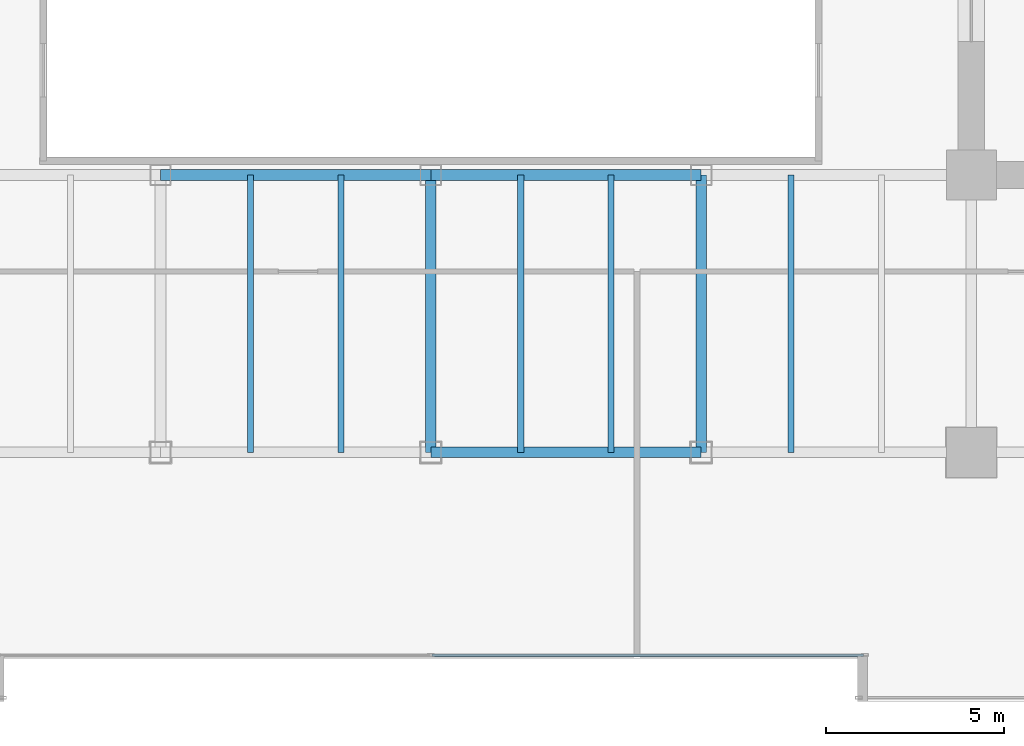
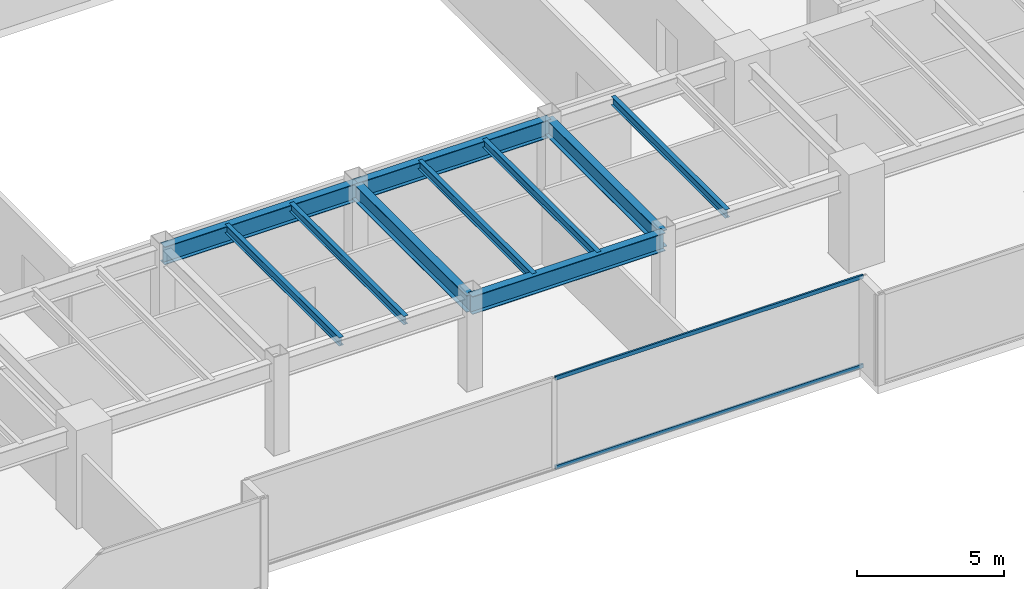
# One storey, part 9 of 36: 10 beams, 2 members, 1 element without a shape of its own.
"""IFC4 building model written with IfcOpenShell, lengths in metres."""

from ifc_helpers import new_model, si_unit, direction, frame, origin, origin_2d, place, context, subcontext, project, spatial, hollow_rectangle, i_section, extrude, source, transform, mapped, material, layer, layer_set, material_profile, profile_set, type_object, type_shapes, element, aggregate, save


model = new_model("IFC4")

# Units and contexts
model_context = context("Model", 3, precision=1e-05, world=origin(), true_north=direction((0.0, 1.0)))
body_context = subcontext(model_context, "Body", "Model", "MODEL_VIEW")
ifc_project = project(units=[si_unit("LENGTHUNIT", "METRE"), si_unit("AREAUNIT", "SQUARE_METRE"), si_unit("VOLUMEUNIT", "CUBIC_METRE"), si_unit("PLANEANGLEUNIT", "RADIAN"), si_unit("MASSUNIT", "GRAM", prefix="KILO")], contexts=[model_context])

# Site, building, storey
site_placement = place(None, origin())
site = spatial("IfcSite", under=ifc_project, at=site_placement, CompositionType="ELEMENT")
building_placement = place(site_placement, origin())
building = spatial("IfcBuilding", under=site, at=building_placement, Name="Haelvirn Gate Laboratories", CompositionType="ELEMENT")
storey_placement = place(building_placement, frame((0.0, 0.0, 49.800048828125)))
storey = spatial("IfcBuildingStorey", under=building, at=storey_placement, Name="L12", CompositionType="ELEMENT", Elevation=49.800048828125)

# Beams
ifc_material_1 = material(Name="Steel SM355", Category="steel")
ifc_material_profile_1 = material_profile(ifc_material_1, i_section(OverallWidth=0.300048828125, OverallDepth=0.699951171875, WebThickness=0.012939453125, FlangeThickness=0.02392578125, at=origin_2d()), Name="H-700x300x13x24")
ifc_profile_set_1 = profile_set([ifc_material_profile_1], Name="Steel SM355")
beam_type_1 = type_object("IfcBeamType", Name="BM-G-700", PredefinedType="BEAM", material=ifc_profile_set_1)
shared_shape_1 = source(origin(), body_context, "Body", "SweptSolid", [
    extrude(i_section(OverallWidth=0.300048828125, OverallDepth=0.699951171875, WebThickness=0.012939453125, FlangeThickness=0.02392578125, at=origin_2d()), origin(), (0.0, 0.0, 1.0), 7.800048828125),
])
type_shapes(beam_type_1, [shared_shape_1])
for number, where, z_axis, x_axis, name in (
    (1, (37.39990234375, 7.0, 3.429931640625), (0.0, 1.0, 0.0), (-1.0, 0.0, 0.0), "L12 Frame Girder X37.4 (7.0-14.8)"),
    (2, (45.0, 7.0, 3.429931640625), (0.0, 1.0, 0.0), (-1.0, 0.0, 0.0), "L12 Frame Girder X45.0 (7.0-14.8)"),
):
    element("IfcBeam", number, at=place(storey_placement, frame(where, z_axis=z_axis, x_axis=x_axis)), inside=storey, type_object=beam_type_1, Name=name, PredefinedType="BEAM", context=body_context, shape_type="MappedRepresentation", body=[
        mapped(shared_shape_1, transform((0.0, 0.0, 0.0), scale=1.0)),
    ])
ifc_material_profile_2 = material_profile(ifc_material_1, i_section(OverallWidth=0.300048828125, OverallDepth=0.75, WebThickness=0.013916015625, FlangeThickness=0.02392578125, at=origin_2d()), Name="H-750x300x14x24")
ifc_profile_set_2 = profile_set([ifc_material_profile_2], Name="Steel SM355")
beam_type_2 = type_object("IfcBeamType", Name="BM-G-750", PredefinedType="BEAM", material=ifc_profile_set_2)
shared_shape_2 = source(origin(), body_context, "Body", "SweptSolid", [
    extrude(i_section(OverallWidth=0.300048828125, OverallDepth=0.75, WebThickness=0.013916015625, FlangeThickness=0.02392578125, at=origin_2d()), origin(), (0.0, 0.0, 1.0), 7.60009765625),
])
for number, where, z_axis, x_axis, name in (
    (3, (37.39990234375, 7.0, 3.405029296875), (1.0, 0.0, 0.0), (0.0, 1.0, 0.0), "L12 Primary Girder Y7.0 (37.4-45.0)"),
    (4, (37.39990234375, 14.800048828125, 3.405029296875), (1.0, 0.0, 0.0), (0.0, 1.0, 0.0), "L12 Primary Girder Y14.8 (37.4-45.0)"),
):
    element("IfcBeam", number, at=place(storey_placement, frame(where, z_axis=z_axis, x_axis=x_axis)), inside=storey, type_object=beam_type_2, Name=name, PredefinedType="BEAM", context=body_context, shape_type="MappedRepresentation", body=[
        mapped(shared_shape_2, transform((0.0, 0.0, 0.0), scale=1.0)),
    ])
shared_shape_3 = source(origin(), body_context, "Body", "SweptSolid", [
    extrude(i_section(OverallWidth=0.300048828125, OverallDepth=0.75, WebThickness=0.013916015625, FlangeThickness=0.02392578125, at=origin_2d()), origin(), (0.0, 0.0, 1.0), 7.599853515625),
])
type_shapes(beam_type_2, [shared_shape_2, shared_shape_3])
beam_placement = place(storey_placement, frame((29.800048828125, 14.800048828125, 3.405029296875), z_axis=(1.0, 0.0, 0.0), x_axis=(0.0, 1.0, 0.0)))
element("IfcBeam", 5, at=beam_placement, inside=storey, type_object=beam_type_2, Name="L12 Primary Girder Y14.8 (29.8-37.4)", PredefinedType="BEAM", context=body_context, shape_type="MappedRepresentation", body=[
    mapped(shared_shape_3, transform((0.0, 0.0, 0.0), scale=1.0)),
])
ifc_material_profile_3 = material_profile(ifc_material_1, i_section(OverallWidth=0.175048828125, OverallDepth=0.35009765625, WebThickness=0.007080078125, FlangeThickness=0.010986328125, at=origin_2d()), Name="H-350x175x7x11")
ifc_profile_set_3 = profile_set([ifc_material_profile_3], Name="Steel SM355")
beam_type_3 = type_object("IfcBeamType", Name="BM-J-350", PredefinedType="JOIST", material=ifc_profile_set_3)
shared_shape_4 = source(origin(), body_context, "Body", "SweptSolid", [
    extrude(i_section(OverallWidth=0.175048828125, OverallDepth=0.35009765625, WebThickness=0.007080078125, FlangeThickness=0.010986328125, at=origin_2d()), origin(), (0.0, 0.0, 1.0), 7.800048828125),
])
type_shapes(beam_type_3, [shared_shape_4])
for number, where, z_axis, x_axis, name in (
    (6, (32.330078125, 7.0, 3.60498046875), (0.0, 1.0, 0.0), (-1.0, 0.0, 0.0), "L12 Composite Lab Joist South X32.33"),
    (7, (34.8701171875, 7.0, 3.60498046875), (0.0, 1.0, 0.0), (-1.0, 0.0, 0.0), "L12 Composite Lab Joist South X34.87"),
    (8, (39.929931640625, 7.0, 3.60498046875), (0.0, 1.0, 0.0), (-1.0, 0.0, 0.0), "L12 Composite Lab Joist South X39.93"),
    (9, (42.469970703125, 7.0, 3.60498046875), (0.0, 1.0, 0.0), (-1.0, 0.0, 0.0), "L12 Composite Lab Joist South X42.47"),
    (10, (47.530029296875, 7.0, 3.60498046875), (0.0, 1.0, 0.0), (-1.0, 0.0, 0.0), "L12 Composite Lab Joist South X47.53"),
):
    element("IfcBeam", number, at=place(storey_placement, frame(where, z_axis=z_axis, x_axis=x_axis)), inside=storey, type_object=beam_type_3, Name=name, PredefinedType="JOIST", context=body_context, shape_type="MappedRepresentation", body=[
        mapped(shared_shape_4, transform((0.0, 0.0, 0.0), scale=1.0)),
    ])

# Curtain wall, members
ifc_material_2 = material(Name="Anodised bronze unitised aluminium & triple low-E glass", Category="aluminium")
ifc_layer = layer(ifc_material_2, 0.18408203125, Name="CW-SYS-2")
ifc_layer_set = layer_set([ifc_layer], Name="Anodised bronze unitised aluminium & triple low-E glass")
curtain_wall_type = type_object("IfcCurtainWallType", Name="CW-SYS-2", PredefinedType="NOTDEFINED", material=ifc_layer_set)
curtain_wall_placement = place(storey_placement, origin())
curtain_wall = element("IfcCurtainWall", 11, at=curtain_wall_placement, inside=storey, type_object=curtain_wall_type, Name="L12 Unitised Curtain Wall CW-L12-P0-E02-1", PredefinedType="NOTDEFINED")
ifc_material_3 = material(Name="Extruded aluminium 6063-T6 (anodised bronze)", Category="aluminium")
ifc_material_profile_4 = material_profile(ifc_material_3, hollow_rectangle(XDim=0.070068359375, YDim=0.159912109375, WallThickness=0.0048828125, at=origin_2d()), Name="CWT-160x70x5")
ifc_profile_set_4 = profile_set([ifc_material_profile_4], Name="Extruded aluminium 6063-T6 (anodised bronze)")
member_type = type_object("IfcMemberType", Name="CWT-T160", PredefinedType="USERDEFINED", material=ifc_profile_set_4)
shared_shape_5 = source(origin(), body_context, "Body", "SweptSolid", [
    extrude(hollow_rectangle(XDim=0.070068359375, YDim=0.159912109375, WallThickness=0.0048828125, at=origin_2d()), origin(), (0.0, 0.0, 1.0), 12.12744140625),
])
type_shapes(member_type, [shared_shape_5])
member_1_placement = place(storey_placement, frame((37.4375, 1.300048828125, 0.034912109375), z_axis=(1.0, 0.0, 0.0), x_axis=(0.0, 1.0, 0.0)))
member_1 = element("IfcMember", 12, at=member_1_placement, type_object=member_type, Name="CW2 transom 2.1", ObjectType="TRANSOM", PredefinedType="USERDEFINED", context=body_context, shape_type="MappedRepresentation", body=[
    mapped(shared_shape_5, transform((0.0, 0.0, 0.0), scale=1.0)),
])
member_2_placement = place(storey_placement, frame((37.4375, 1.300048828125, 3.744873046875), z_axis=(1.0, 0.0, 0.0), x_axis=(0.0, 1.0, 0.0)))
member_2 = element("IfcMember", 13, at=member_2_placement, type_object=member_type, Name="CW2 transom 2.2", ObjectType="TRANSOM", PredefinedType="USERDEFINED", context=body_context, shape_type="MappedRepresentation", body=[
    mapped(shared_shape_5, transform((0.0, 0.0, 0.0), scale=1.0)),
])
aggregate(curtain_wall, [member_1, member_2])

save(model, "model.ifc")
